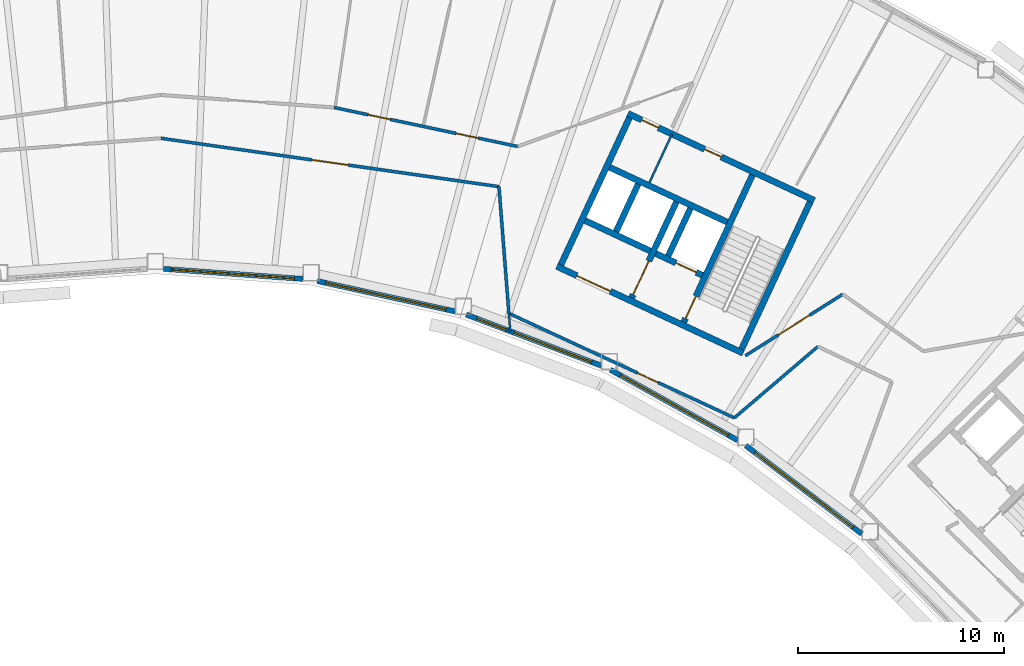
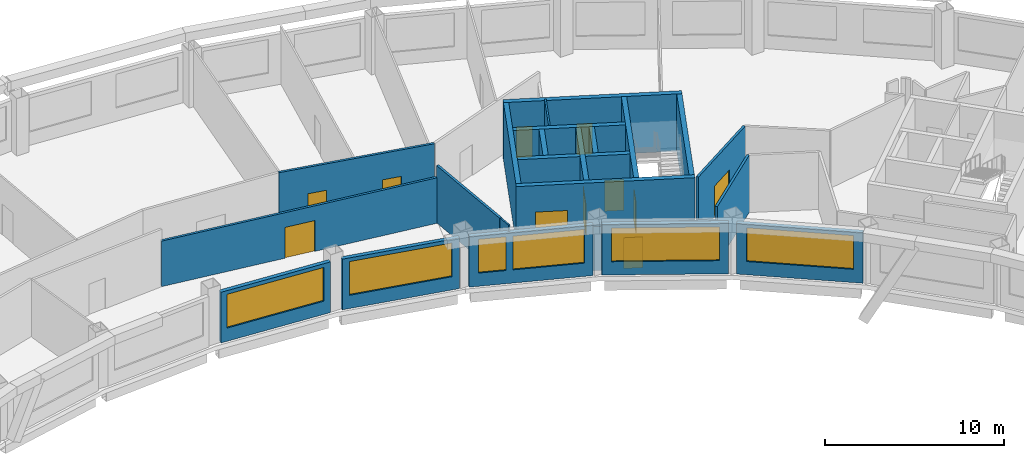
# One storey, part 8 of 13: 24 walls, 11 doors, 6 windows, 17 openings.
"""IFC4 building model written with IfcOpenShell, lengths in metres."""

from ifc_helpers import new_model, si_unit, direction, frame, frame_2d, origin, place, context, subcontext, project, spatial, rectangle, extrude, material, layer, layer_set, type_object, element, fill, save


model = new_model("IFC4")

# Units and contexts
model_context = context("Model", 3, precision=1e-05, world=origin(), true_north=direction((0.0, 1.0)))
body_context = subcontext(model_context, "Body", "Model", "MODEL_VIEW")
ifc_project = project(units=[si_unit("LENGTHUNIT", "METRE"), si_unit("AREAUNIT", "SQUARE_METRE"), si_unit("VOLUMEUNIT", "CUBIC_METRE"), si_unit("PLANEANGLEUNIT", "RADIAN"), si_unit("MASSUNIT", "GRAM", prefix="KILO")], contexts=[model_context])

# Site, building, storey
site_placement = place(None, origin())
site = spatial("IfcSite", under=ifc_project, at=site_placement, CompositionType="ELEMENT")
building_placement = place(site_placement, origin())
building = spatial("IfcBuilding", under=site, at=building_placement, Name="Tuul Gate Civic Tower", CompositionType="ELEMENT")
storey_placement = place(building_placement, frame((0.0, 0.0, 230.5)))
storey = spatial("IfcBuildingStorey", under=building, at=storey_placement, Name="Level 52", CompositionType="ELEMENT", Elevation=230.5)

# Wall, opening, door
ifc_material_1 = material(Name="Concrete C50/60", Category="concrete")
ifc_layer_1 = layer(ifc_material_1, 0.300048828125)
ifc_layer_set_1 = layer_set([ifc_layer_1], Name="Concrete C50/60")
wall_type_1 = type_object("IfcWallType", Name="Core wall C50/60", PredefinedType="SHEAR", material=ifc_layer_set_1)
wall_1_placement = place(storey_placement, frame((34.5283203125, -7.25, 0.0), z_axis=(0.0, 0.0, 1.0), x_axis=(-0.906310338845, 0.422612789327, 0.0)))
wall_1 = element("IfcWall", 1, at=wall_1_placement, inside=storey, type_object=wall_type_1, Name="Core wall", PredefinedType="SHEAR", context=body_context, shape_type="SweptSolid", body=[
    extrude(rectangle(XDim=9.999755859375, YDim=0.300048828125, at=frame_2d((5.0, 0.0))), origin(), (0.0, 0.0, 1.0), 3.89990234375),
])
opening_1_placement = place(wall_1_placement, frame((7.125, 0.0, 0.0)))
opening_1 = element("IfcOpeningElement", 2, at=opening_1_placement, cuts=wall_1, Name="Opening LB-E3-LOBBY-1", PredefinedType="OPENING", context=body_context, shape_type="SweptSolid", body=[
    extrude(rectangle(XDim=1.800048828125, YDim=2.10009765625, at=frame_2d((0.89990234375, 1.050048828125))), frame((0.0, 0.16015625, 0.0), z_axis=(0.0, -1.0, 0.0), x_axis=(1.0, 0.0, 0.0)), (0.0, 0.0, 1.0), 0.320068359375),
])
ifc_material_2 = material(Name="Steel", Category="steel")
door_type_1 = type_object("IfcDoorType", Name="Lobby door", OperationType="DOUBLE_DOOR_SINGLE_SWING", PredefinedType="DOOR", material=ifc_material_2)
door_1_placement = place(opening_1_placement, frame((1.800048828125, 0.0, 0.0), z_axis=(0.0, 0.0, 1.0), x_axis=(-1.0, 0.0, 0.0)))
door_1 = element("IfcDoor", 3, at=door_1_placement, inside=storey, type_object=door_type_1, Name="Lobby door E3-LOBBY", OperationType="DOUBLE_DOOR_SINGLE_SWING", OverallHeight=2.10009765625, OverallWidth=1.800048828125, PredefinedType="DOOR", context=body_context, shape_type="SweptSolid", body=[
    extrude(rectangle(XDim=1.800048828125, YDim=2.10009765625, at=frame_2d((0.900146484375, 1.050048828125))), frame((0.0, 0.02490234375, 0.0), z_axis=(0.0, -1.0, 0.0), x_axis=(1.0, 0.0, 0.0)), (0.0, 0.0, 1.0), 0.050048828125),
])
fill(opening_1, door_1)

wall_2_placement = place(storey_placement, frame((32.545654296875, -3.456787109375, 0.0), z_axis=(0.0, 0.0, 1.0), x_axis=(-0.906300357825, 0.42263419337, 0.0)))
wall_2 = element("IfcWall", 4, at=wall_2_placement, inside=storey, type_object=wall_type_1, Name="Core wall", PredefinedType="SHEAR", context=body_context, shape_type="SweptSolid", body=[
    extrude(rectangle(XDim=2.500244140625, YDim=0.300048828125, at=frame_2d((1.25, 0.0))), origin(), (0.0, 0.0, 1.0), 3.89990234375),
])
opening_2_placement = place(wall_2_placement, frame((0.324951171875, 0.0, 0.0)))
opening_2 = element("IfcOpeningElement", 5, at=opening_2_placement, cuts=wall_2, Name="Opening LD-FF-2", PredefinedType="OPENING", context=body_context, shape_type="SweptSolid", body=[
    extrude(rectangle(XDim=1.10009765625, YDim=2.10009765625, at=frame_2d((0.550048828125, 1.050048828125))), frame((0.0, 0.16015625, 0.0), z_axis=(0.0, -1.0, 0.0), x_axis=(1.0, 0.0, 0.0)), (0.0, 0.0, 1.0), 0.320068359375),
])
ifc_material_3 = material(Name="Stainless steel", Category="steel")
door_type_2 = type_object("IfcDoorType", Name="Landing door", OperationType="DOUBLE_DOOR_SLIDING", PredefinedType="DOOR", material=ifc_material_3)
door_2_placement = place(opening_2_placement, origin())
door_2 = element("IfcDoor", 6, at=door_2_placement, inside=storey, type_object=door_type_2, Name="Fire-fighting lift FF-2 landing door", OperationType="DOUBLE_DOOR_SLIDING", OverallHeight=2.10009765625, OverallWidth=1.10009765625, PredefinedType="DOOR", context=body_context, shape_type="SweptSolid", body=[
    extrude(rectangle(XDim=1.10009765625, YDim=2.10009765625, at=frame_2d((0.550048828125, 1.050048828125))), frame((0.0, 0.02490234375, 0.0), z_axis=(0.0, -1.0, 0.0), x_axis=(1.0, 0.0, 0.0)), (0.0, 0.0, 1.0), 0.050048828125),
])
fill(opening_2, door_2)

# Walls
wall_3_placement = place(storey_placement, frame((30.0078125, -2.2734375, 0.0), z_axis=(0.0, 0.0, 1.0), x_axis=(-0.90630071767, 0.422633421716, 0.0)))
element("IfcWall", 7, at=wall_3_placement, inside=storey, type_object=wall_type_1, Name="Core wall", PredefinedType="SHEAR", context=body_context, shape_type="SweptSolid", body=[
    extrude(rectangle(XDim=3.5, YDim=0.300048828125, at=frame_2d((1.75, 0.0))), origin(), (0.0, 0.0, 1.0), 3.89990234375),
])
wall_4_placement = place(storey_placement, frame((33.75, -0.873779296875, 0.0), z_axis=(0.0, 0.0, 1.0), x_axis=(-0.906300917592, 0.422632992999, 0.0)))
element("IfcWall", 8, at=wall_4_placement, inside=storey, type_object=wall_type_1, Name="Core wall", PredefinedType="SHEAR", context=body_context, shape_type="SweptSolid", body=[
    extrude(rectangle(XDim=6.300048828125, YDim=0.300048828125, at=frame_2d((3.14990234375, 0.0))), origin(), (0.0, 0.0, 1.0), 3.89990234375),
])

# Wall, openings, doors
wall_5_placement = place(storey_placement, frame((37.993408203125, 0.181884765625, 0.0), z_axis=(0.0, 0.0, 1.0), x_axis=(-0.906310338845, 0.422612789327, 0.0)))
wall_5 = element("IfcWall", 9, at=wall_5_placement, inside=storey, type_object=wall_type_1, Name="Core wall", PredefinedType="SHEAR", context=body_context, shape_type="SweptSolid", body=[
    extrude(rectangle(XDim=9.999755859375, YDim=0.300048828125, at=frame_2d((5.0, 0.0))), origin(), (0.0, 0.0, 1.0), 3.89990234375),
])
opening_3_placement = place(wall_5_placement, frame((4.99365234375, 0.0, 0.0)))
opening_3 = element("IfcOpeningElement", 10, at=opening_3_placement, cuts=wall_5, Name="Opening S-D36", PredefinedType="OPENING", context=body_context, shape_type="SweptSolid", body=[
    extrude(rectangle(XDim=0.89990234375, YDim=2.10009765625, at=frame_2d((0.449951171875, 1.050048828125))), frame((0.0, 0.16015625, 0.0), z_axis=(0.0, -1.0, 0.0), x_axis=(1.0, 0.0, 0.0)), (0.0, 0.0, 1.0), 0.320068359375),
])
opening_4_placement = place(wall_5_placement, frame((8.368896484375, 0.0, 0.0)))
opening_4 = element("IfcOpeningElement", 11, at=opening_4_placement, cuts=wall_5, Name="Opening S-D37", PredefinedType="OPENING", context=body_context, shape_type="SweptSolid", body=[
    extrude(rectangle(XDim=0.89990234375, YDim=2.10009765625, at=frame_2d((0.449951171875, 1.050048828125))), frame((0.0, 0.16015625, 0.0), z_axis=(0.0, -1.0, 0.0), x_axis=(1.0, 0.0, 0.0)), (0.0, 0.0, 1.0), 0.320068359375),
])
ifc_material_4 = material(Name="Timber door leaf", Category="wood")
door_type_3 = type_object("IfcDoorType", Name="Door D09", OperationType="NOTDEFINED", PredefinedType="DOOR", material=ifc_material_4)
door_3_placement = place(opening_3_placement, origin())
door_3 = element("IfcDoor", 12, at=door_3_placement, inside=storey, type_object=door_type_3, Name="Door S-D36", OperationType="SINGLE_SWING_LEFT", OverallHeight=2.10009765625, OverallWidth=0.89990234375, PredefinedType="DOOR", context=body_context, shape_type="SweptSolid", body=[
    extrude(rectangle(XDim=0.89990234375, YDim=2.10009765625, at=frame_2d((0.449951171875, 1.050048828125))), frame((0.0, 0.02490234375, 0.0), z_axis=(0.0, -1.0, 0.0), x_axis=(1.0, 0.0, 0.0)), (0.0, 0.0, 1.0), 0.050048828125),
])
fill(opening_3, door_3)
door_4_placement = place(opening_4_placement, origin())
door_4 = element("IfcDoor", 13, at=door_4_placement, inside=storey, type_object=door_type_3, Name="Door S-D37", OperationType="SINGLE_SWING_RIGHT", OverallHeight=2.10009765625, OverallWidth=0.89990234375, PredefinedType="DOOR", context=body_context, shape_type="SweptSolid", body=[
    extrude(rectangle(XDim=0.89990234375, YDim=2.10009765625, at=frame_2d((0.449951171875, 1.050048828125))), frame((0.0, 0.02490234375, 0.0), z_axis=(0.0, -1.0, 0.0), x_axis=(1.0, 0.0, 0.0)), (0.0, 0.0, 1.0), 0.050048828125),
])
fill(opening_4, door_4)

# Wall
wall_6_placement = place(storey_placement, frame((34.455810546875, -7.05078125, 0.0), z_axis=(0.0, 0.0, 1.0), x_axis=(0.422570768258, 0.906329932096, 0.0)))
element("IfcWall", 14, at=wall_6_placement, inside=storey, type_object=wall_type_1, Name="Core wall", PredefinedType="SHEAR", context=body_context, shape_type="SweptSolid", body=[
    extrude(rectangle(XDim=7.900146484375, YDim=0.300048828125, at=frame_2d((3.9501953125, 0.0))), origin(), (0.0, 0.0, 1.0), 3.89990234375),
])

# Wall, opening, door
wall_7_placement = place(storey_placement, frame((31.646240234375, -5.740478515625, 0.0), z_axis=(0.0, 0.0, 1.0), x_axis=(0.422582604137, 0.906324413596, 0.0)))
wall_7 = element("IfcWall", 15, at=wall_7_placement, inside=storey, type_object=wall_type_1, Name="Core wall", PredefinedType="SHEAR", context=body_context, shape_type="SweptSolid", body=[
    extrude(rectangle(XDim=7.89990234375, YDim=0.300048828125, at=frame_2d((3.949951171875, 0.0))), origin(), (0.0, 0.0, 1.0), 3.89990234375),
])
opening_5_placement = place(wall_7_placement, frame((0.199951171875, 0.0, 0.0)))
opening_5 = element("IfcOpeningElement", 16, at=opening_5_placement, cuts=wall_7, Name="Opening SD-ST-4", PredefinedType="OPENING", context=body_context, shape_type="SweptSolid", body=[
    extrude(rectangle(XDim=1.199951171875, YDim=2.10009765625, at=frame_2d((0.60009765625, 1.050048828125))), frame((0.0, 0.16015625, 0.0), z_axis=(0.0, -1.0, 0.0), x_axis=(1.0, 0.0, 0.0)), (0.0, 0.0, 1.0), 0.320068359375),
])
ifc_material_5 = material(Name="Steel", Category="steel")
door_type_4 = type_object("IfcDoorType", Name="Stair door", OperationType="NOTDEFINED", PredefinedType="DOOR", material=ifc_material_5)
door_5_placement = place(opening_5_placement, origin())
door_5 = element("IfcDoor", 17, at=door_5_placement, inside=storey, type_object=door_type_4, Name="Stair door ST-4", OperationType="SINGLE_SWING_LEFT", OverallHeight=2.10009765625, OverallWidth=1.199951171875, PredefinedType="DOOR", context=body_context, shape_type="SweptSolid", body=[
    extrude(rectangle(XDim=1.199951171875, YDim=2.10009765625, at=frame_2d((0.60009765625, 1.050048828125))), frame((0.0, 0.02490234375, 0.0), z_axis=(0.0, -1.0, 0.0), x_axis=(1.0, 0.0, 0.0)), (0.0, 0.0, 1.0), 0.050048828125),
])
fill(opening_5, door_5)

# Wall
wall_8_placement = place(storey_placement, frame((30.886962890625, -2.517822265625, 0.0), z_axis=(0.0, 0.0, 1.0), x_axis=(0.422612891016, 0.906310291427, 0.0)))
element("IfcWall", 18, at=wall_8_placement, inside=storey, type_object=wall_type_1, Name="Core wall", PredefinedType="SHEAR", context=body_context, shape_type="SweptSolid", body=[
    extrude(rectangle(XDim=2.550048828125, YDim=0.300048828125, at=frame_2d((1.27490234375, 0.0))), origin(), (0.0, 0.0, 1.0), 3.89990234375),
])

# Wall, opening, door
wall_9_placement = place(storey_placement, frame((29.108642578125, -4.557373046875, 0.0), z_axis=(0.0, 0.0, 1.0), x_axis=(0.422566235356, 0.90633204552, 0.0)))
wall_9 = element("IfcWall", 19, at=wall_9_placement, inside=storey, type_object=wall_type_1, Name="Core wall", PredefinedType="SHEAR", context=body_context, shape_type="SweptSolid", body=[
    extrude(rectangle(XDim=5.150146484375, YDim=0.300048828125, at=frame_2d((2.5751953125, 0.0))), origin(), (0.0, 0.0, 1.0), 3.89990234375),
])
opening_6_placement = place(wall_9_placement, frame((0.175048828125, 0.0, 0.0)))
opening_6 = element("IfcOpeningElement", 20, at=opening_6_placement, cuts=wall_9, Name="Opening LB-E3-FLOBBY-1", PredefinedType="OPENING", context=body_context, shape_type="SweptSolid", body=[
    extrude(rectangle(XDim=1.800048828125, YDim=2.10009765625, at=frame_2d((0.89990234375, 1.050048828125))), frame((0.0, 0.16015625, 0.0), z_axis=(0.0, -1.0, 0.0), x_axis=(1.0, 0.0, 0.0)), (0.0, 0.0, 1.0), 0.320068359375),
])
door_6_placement = place(opening_6_placement, frame((1.800048828125, 0.0, 0.0), z_axis=(0.0, 0.0, 1.0), x_axis=(-1.0, 0.0, 0.0)))
door_6 = element("IfcDoor", 21, at=door_6_placement, inside=storey, type_object=door_type_1, Name="Lobby door E3-FLOBBY", OperationType="DOUBLE_DOOR_SINGLE_SWING", OverallHeight=2.10009765625, OverallWidth=1.800048828125, PredefinedType="DOOR", context=body_context, shape_type="SweptSolid", body=[
    extrude(rectangle(XDim=1.800048828125, YDim=2.10009765625, at=frame_2d((0.900146484375, 1.050048828125))), frame((0.0, 0.02490234375, 0.0), z_axis=(0.0, -1.0, 0.0), x_axis=(1.0, 0.0, 0.0)), (0.0, 0.0, 1.0), 0.050048828125),
])
fill(opening_6, door_6)

# Walls
wall_10_placement = place(storey_placement, frame((28.349365234375, -1.33447265625, 0.0), z_axis=(0.0, 0.0, 1.0), x_axis=(0.422612891016, 0.906310291427, 0.0)))
element("IfcWall", 22, at=wall_10_placement, inside=storey, type_object=wall_type_1, Name="Core wall", PredefinedType="SHEAR", context=body_context, shape_type="SweptSolid", body=[
    extrude(rectangle(XDim=2.550048828125, YDim=0.300048828125, at=frame_2d((1.27490234375, 0.0))), origin(), (0.0, 0.0, 1.0), 3.89990234375),
])
wall_11_placement = place(storey_placement, frame((25.66455078125, -2.951416015625, 0.0), z_axis=(0.0, 0.0, 1.0), x_axis=(0.422582604137, 0.906324413596, 0.0)))
element("IfcWall", 23, at=wall_11_placement, inside=storey, type_object=wall_type_1, Name="Core wall", PredefinedType="SHEAR", context=body_context, shape_type="SweptSolid", body=[
    extrude(rectangle(XDim=7.89990234375, YDim=0.300048828125, at=frame_2d((3.949951171875, 0.0))), origin(), (0.0, 0.0, 1.0), 3.89990234375),
])

# Wall, opening, door
ifc_material_6 = material(Name="Gypsum board partition")
ifc_layer_2 = layer(ifc_material_6, 0.14990234375)
ifc_layer_set_2 = layer_set([ifc_layer_2], Name="Gypsum board partition")
wall_type_2 = type_object("IfcWallType", Name="Corridor wall P150", PredefinedType="PARTITIONING", material=ifc_layer_set_2)
wall_12_placement = place(storey_placement, frame((34.635986328125, -7.37451171875, 0.0), z_axis=(0.0, 0.0, 1.0), x_axis=(0.845675167899, 0.533697958025, 0.0)))
wall_12 = element("IfcWall", 24, at=wall_12_placement, inside=storey, type_object=wall_type_2, Name="p019", PredefinedType="PARTITIONING", context=body_context, shape_type="SweptSolid", body=[
    extrude(rectangle(XDim=5.604736328125, YDim=0.14990234375, at=frame_2d((2.80224609375, 0.0))), origin(), (0.0, 0.0, 1.0), 3.89990234375),
])
opening_7_placement = place(wall_12_placement, frame((1.90234375, 0.0, 0.0)))
opening_7 = element("IfcOpeningElement", 25, at=opening_7_placement, cuts=wall_12, Name="Opening S-D02", PredefinedType="OPENING", context=body_context, shape_type="SweptSolid", body=[
    extrude(rectangle(XDim=1.800048828125, YDim=2.10009765625, at=frame_2d((0.89990234375, 1.050048828125))), frame((0.0, 0.0849609375, 0.0), z_axis=(0.0, -1.0, 0.0), x_axis=(1.0, 0.0, 0.0)), (0.0, 0.0, 1.0), 0.169921875),
])
ifc_material_7 = material(Name="Timber door leaf, double", Category="wood")
door_type_5 = type_object("IfcDoorType", Name="Door D18", OperationType="DOUBLE_DOOR_SINGLE_SWING", PredefinedType="DOOR", material=ifc_material_7)
door_7_placement = place(opening_7_placement, origin())
door_7 = element("IfcDoor", 26, at=door_7_placement, inside=storey, type_object=door_type_5, Name="Door S-D02", OperationType="DOUBLE_DOOR_SINGLE_SWING", OverallHeight=2.10009765625, OverallWidth=1.800048828125, PredefinedType="DOOR", context=body_context, shape_type="SweptSolid", body=[
    extrude(rectangle(XDim=1.800048828125, YDim=2.10009765625, at=frame_2d((0.89990234375, 1.050048828125))), frame((0.0, 0.02490234375, 0.0), z_axis=(0.0, -1.0, 0.0), x_axis=(1.0, 0.0, 0.0)), (0.0, 0.0, 1.0), 0.050048828125),
])
fill(opening_7, door_7)

# Wall, openings, doors
wall_13_placement = place(storey_placement, frame((14.634521484375, 4.700927734375, 0.0), z_axis=(0.0, 0.0, 1.0), x_axis=(0.978205143775, -0.207640787639, 0.0)))
wall_13 = element("IfcWall", 27, at=wall_13_placement, inside=storey, type_object=wall_type_2, Name="p024", PredefinedType="PARTITIONING", context=body_context, shape_type="SweptSolid", body=[
    extrude(rectangle(XDim=9.122802734375, YDim=0.14990234375, at=frame_2d((4.5615234375, 0.0))), origin(), (0.0, 0.0, 1.0), 3.89990234375),
])
opening_8_placement = place(wall_13_placement, frame((6.0732421875, 0.0, 0.0)))
opening_8 = element("IfcOpeningElement", 28, at=opening_8_placement, cuts=wall_13, Name="Opening S-D05", PredefinedType="OPENING", context=body_context, shape_type="SweptSolid", body=[
    extrude(rectangle(XDim=1.10009765625, YDim=2.10009765625, at=frame_2d((0.550048828125, 1.050048828125))), frame((0.0, 0.0849609375, 0.0), z_axis=(0.0, -1.0, 0.0), x_axis=(1.0, 0.0, 0.0)), (0.0, 0.0, 1.0), 0.169921875),
])
opening_9_placement = place(wall_13_placement, frame((1.688720703125, 0.0, 0.0)))
opening_9 = element("IfcOpeningElement", 29, at=opening_9_placement, cuts=wall_13, Name="Opening S-D06", PredefinedType="OPENING", context=body_context, shape_type="SweptSolid", body=[
    extrude(rectangle(XDim=1.10009765625, YDim=2.10009765625, at=frame_2d((0.550048828125, 1.050048828125))), frame((0.0, 0.0849609375, 0.0), z_axis=(0.0, -1.0, 0.0), x_axis=(1.0, 0.0, 0.0)), (0.0, 0.0, 1.0), 0.169921875),
])
ifc_material_8 = material(Name="Timber door leaf", Category="wood")
door_type_6 = type_object("IfcDoorType", Name="Door D11", OperationType="NOTDEFINED", PredefinedType="DOOR", material=ifc_material_8)
door_8_placement = place(opening_8_placement, origin())
door_8 = element("IfcDoor", 30, at=door_8_placement, inside=storey, type_object=door_type_6, Name="Door S-D05", OperationType="SINGLE_SWING_RIGHT", OverallHeight=2.10009765625, OverallWidth=1.10009765625, PredefinedType="DOOR", context=body_context, shape_type="SweptSolid", body=[
    extrude(rectangle(XDim=1.10009765625, YDim=2.10009765625, at=frame_2d((0.550048828125, 1.050048828125))), frame((0.0, 0.02490234375, 0.0), z_axis=(0.0, -1.0, 0.0), x_axis=(1.0, 0.0, 0.0)), (0.0, 0.0, 1.0), 0.050048828125),
])
fill(opening_8, door_8)
door_9_placement = place(opening_9_placement, origin())
door_9 = element("IfcDoor", 31, at=door_9_placement, inside=storey, type_object=door_type_6, Name="Door S-D06", OperationType="SINGLE_SWING_RIGHT", OverallHeight=2.10009765625, OverallWidth=1.10009765625, PredefinedType="DOOR", context=body_context, shape_type="SweptSolid", body=[
    extrude(rectangle(XDim=1.10009765625, YDim=2.10009765625, at=frame_2d((0.550048828125, 1.050048828125))), frame((0.0, 0.02490234375, 0.0), z_axis=(0.0, -1.0, 0.0), x_axis=(1.0, 0.0, 0.0)), (0.0, 0.0, 1.0), 0.050048828125),
])
fill(opening_9, door_9)

# Walls
wall_14_placement = place(storey_placement, frame((22.654052734375, 0.851806640625, 0.0), z_axis=(0.0, 0.0, 1.0), x_axis=(0.077789483158, -0.996969807121, 0.0)))
element("IfcWall", 32, at=wall_14_placement, inside=storey, type_object=wall_type_2, Name="p054", PredefinedType="PARTITIONING", context=body_context, shape_type="SweptSolid", body=[
    extrude(rectangle(XDim=6.21728515625, YDim=0.14990234375, at=frame_2d((3.108642578125, 0.0))), origin(), (0.0, 0.0, 1.0), 3.89990234375),
])
wall_15_placement = place(storey_placement, frame((34.10302734375, -10.39599609375, 0.0), z_axis=(0.0, 0.0, 1.0), x_axis=(0.760448903295, 0.649397771383, 0.0)))
element("IfcWall", 33, at=wall_15_placement, inside=storey, type_object=wall_type_2, Name="p071", PredefinedType="PARTITIONING", context=body_context, shape_type="SweptSolid", body=[
    extrude(rectangle(XDim=5.34228515625, YDim=0.14990234375, at=frame_2d((2.671142578125, 0.0))), origin(), (0.0, 0.0, 1.0), 3.89990234375),
])

# Wall, opening, door
ifc_material_9 = material(Name="Gypsum board partition")
ifc_layer_3 = layer(ifc_material_9, 0.14990234375)
ifc_layer_set_3 = layer_set([ifc_layer_3], Name="Gypsum board partition")
wall_type_3 = type_object("IfcWallType", Name="Corridor wall P150 3000 HIGH", PredefinedType="PARTITIONING", material=ifc_layer_set_3)
wall_16_placement = place(storey_placement, frame((23.135498046875, -5.3125, 0.0), z_axis=(0.0, 0.0, 1.0), x_axis=(0.907279597463, -0.420527920628, 0.0)))
wall_16 = element("IfcWall", 34, at=wall_16_placement, inside=storey, type_object=wall_type_3, Name="p072", PredefinedType="PARTITIONING", context=body_context, shape_type="SweptSolid", body=[
    extrude(rectangle(XDim=12.08837890625, YDim=0.14990234375, at=frame_2d((6.044189453125, 0.0))), origin(), (0.0, 0.0, 1.0), 3.0),
])
opening_10_placement = place(wall_16_placement, frame((6.89404296875, 0.0, 0.0)))
opening_10 = element("IfcOpeningElement", 35, at=opening_10_placement, cuts=wall_16, Name="Opening S-D171", PredefinedType="OPENING", context=body_context, shape_type="SweptSolid", body=[
    extrude(rectangle(XDim=1.10009765625, YDim=2.10009765625, at=frame_2d((0.550048828125, 1.050048828125))), frame((0.0, 0.0849609375, 0.0), z_axis=(0.0, -1.0, 0.0), x_axis=(1.0, 0.0, 0.0)), (0.0, 0.0, 1.0), 0.169921875),
])
door_10_placement = place(opening_10_placement, origin())
door_10 = element("IfcDoor", 36, at=door_10_placement, inside=storey, type_object=door_type_6, Name="Door S-D17", OperationType="SINGLE_SWING_LEFT", OverallHeight=2.10009765625, OverallWidth=1.10009765625, PredefinedType="DOOR", context=body_context, shape_type="SweptSolid", body=[
    extrude(rectangle(XDim=1.10009765625, YDim=2.10009765625, at=frame_2d((0.550048828125, 1.050048828125))), frame((0.0, 0.02490234375, 0.0), z_axis=(0.0, -1.0, 0.0), x_axis=(1.0, 0.0, 0.0)), (0.0, 0.0, 1.0), 0.050048828125),
])
fill(opening_10, door_10)

ifc_material_10 = material(Name="Gypsum board partition")
ifc_layer_4 = layer(ifc_material_10, 0.14990234375)
ifc_layer_set_4 = layer_set([ifc_layer_4], Name="Gypsum board partition")
wall_type_4 = type_object("IfcWallType", Name="Corridor wall P150 3100 HIGH", PredefinedType="PARTITIONING", material=ifc_layer_set_4)
wall_17_placement = place(storey_placement, frame((6.2041015625, 3.205810546875, 0.0), z_axis=(0.0, 0.0, 1.0), x_axis=(0.989915674369, -0.141657889435, 0.0)))
wall_17 = element("IfcWall", 37, at=wall_17_placement, inside=storey, type_object=wall_type_4, Name="p053", PredefinedType="PARTITIONING", context=body_context, shape_type="SweptSolid", body=[
    extrude(rectangle(XDim=16.617431640625, YDim=0.14990234375, at=frame_2d((8.30859375, 0.0))), origin(), (0.0, 0.0, 1.0), 3.10009765625),
])
opening_11_placement = place(wall_17_placement, frame((7.40869140625, 0.0, 0.0)))
opening_11 = element("IfcOpeningElement", 38, at=opening_11_placement, cuts=wall_17, Name="Opening S-D141", PredefinedType="OPENING", context=body_context, shape_type="SweptSolid", body=[
    extrude(rectangle(XDim=1.800048828125, YDim=2.10009765625, at=frame_2d((0.89990234375, 1.050048828125))), frame((0.0, 0.0849609375, 0.0), z_axis=(0.0, -1.0, 0.0), x_axis=(1.0, 0.0, 0.0)), (0.0, 0.0, 1.0), 0.169921875),
])
door_11_placement = place(opening_11_placement, frame((1.800048828125, 0.0, 0.0), z_axis=(0.0, 0.0, 1.0), x_axis=(-1.0, 0.0, 0.0)))
door_11 = element("IfcDoor", 39, at=door_11_placement, inside=storey, type_object=door_type_5, Name="Door S-D14", OperationType="DOUBLE_DOOR_SINGLE_SWING", OverallHeight=2.10009765625, OverallWidth=1.800048828125, PredefinedType="DOOR", context=body_context, shape_type="SweptSolid", body=[
    extrude(rectangle(XDim=1.800048828125, YDim=2.10009765625, at=frame_2d((0.900146484375, 1.050048828125))), frame((0.0, 0.02490234375, 0.0), z_axis=(0.0, -1.0, 0.0), x_axis=(1.0, 0.0, 0.0)), (0.0, 0.0, 1.0), 0.050048828125),
])
fill(opening_11, door_11)

# Wall, opening, window
ifc_material_11 = material(Name="Precast concrete C40/50", Category="concrete")
ifc_layer_5 = layer(ifc_material_11, 0.25)
ifc_layer_set_5 = layer_set([ifc_layer_5], Name="Precast concrete C40/50")
wall_type_5 = type_object("IfcWallType", Name="External wall", PredefinedType="STANDARD", material=ifc_layer_set_5)
wall_18_placement = place(storey_placement, frame((6.340087890625, -3.1455078125, 0.0), z_axis=(0.0, 0.0, 1.0), x_axis=(0.997392566253, -0.07216695077, 0.0)))
wall_18 = element("IfcWall", 40, at=wall_18_placement, inside=storey, type_object=wall_type_5, Name="External wall", PredefinedType="STANDARD", context=body_context, shape_type="SweptSolid", body=[
    extrude(rectangle(XDim=6.789794921875, YDim=0.25, at=frame_2d((3.39501953125, 0.0))), origin(), (0.0, 0.0, 1.0), 3.449951171875),
])
opening_12_placement = place(wall_18_placement, frame((0.371337890625, 0.0, 0.89990234375)))
opening_12 = element("IfcOpeningElement", 41, at=opening_12_placement, cuts=wall_18, Name="Opening W26", PredefinedType="OPENING", context=body_context, shape_type="SweptSolid", body=[
    extrude(rectangle(XDim=6.0, YDim=2.300048828125, at=frame_2d((3.0, 1.14990234375))), frame((0.0, 0.135009765625, 0.0), z_axis=(0.0, -1.0, 0.0), x_axis=(1.0, 0.0, 0.0)), (0.0, 0.0, 1.0), 0.27001953125),
])
ifc_material_12 = material(Name="Glass", Category="glass")
window_type_1 = type_object("IfcWindowType", Name="Window W26 6000 x 2300", PartitioningType="SINGLE_PANEL", PredefinedType="WINDOW", material=ifc_material_12)
window_1_placement = place(opening_12_placement, origin())
window_1 = element("IfcWindow", 42, at=window_1_placement, inside=storey, type_object=window_type_1, Name="Window", OverallHeight=2.300048828125, OverallWidth=6.0, PartitioningType="SINGLE_PANEL", PredefinedType="WINDOW", context=body_context, shape_type="SweptSolid", body=[
    extrude(rectangle(XDim=6.0, YDim=2.300048828125, at=frame_2d((3.0, 1.14990234375))), frame((0.0, 0.030029296875, 0.0), z_axis=(0.0, -1.0, 0.0), x_axis=(1.0, 0.0, 0.0)), (0.0, 0.0, 1.0), 0.06005859375),
])
fill(opening_12, window_1)

wall_19_placement = place(storey_placement, frame((13.819091796875, -3.739013671875, 0.0), z_axis=(0.0, 0.0, 1.0), x_axis=(0.976560383805, -0.21524362193, 0.0)))
wall_19 = element("IfcWall", 43, at=wall_19_placement, inside=storey, type_object=wall_type_5, Name="External wall", PredefinedType="STANDARD", context=body_context, shape_type="SweptSolid", body=[
    extrude(rectangle(XDim=6.86669921875, YDim=0.25, at=frame_2d((3.433349609375, 0.0))), origin(), (0.0, 0.0, 1.0), 3.449951171875),
])
opening_13_placement = place(wall_19_placement, frame((0.409912109375, 0.0, 0.89990234375)))
opening_13 = element("IfcOpeningElement", 44, at=opening_13_placement, cuts=wall_19, Name="Opening W26", PredefinedType="OPENING", context=body_context, shape_type="SweptSolid", body=[
    extrude(rectangle(XDim=6.0, YDim=2.300048828125, at=frame_2d((3.0, 1.14990234375))), frame((0.0, 0.135009765625, 0.0), z_axis=(0.0, -1.0, 0.0), x_axis=(1.0, 0.0, 0.0)), (0.0, 0.0, 1.0), 0.27001953125),
])
window_2_placement = place(opening_13_placement, origin())
window_2 = element("IfcWindow", 45, at=window_2_placement, inside=storey, type_object=window_type_1, Name="Window", OverallHeight=2.300048828125, OverallWidth=6.0, PartitioningType="SINGLE_PANEL", PredefinedType="WINDOW", context=body_context, shape_type="SweptSolid", body=[
    extrude(rectangle(XDim=6.0, YDim=2.300048828125, at=frame_2d((3.0, 1.14990234375))), frame((0.0, 0.030029296875, 0.0), z_axis=(0.0, -1.0, 0.0), x_axis=(1.0, 0.0, 0.0)), (0.0, 0.0, 1.0), 0.06005859375),
])
fill(opening_13, window_2)

# Wall, openings, windows
wall_20_placement = place(storey_placement, frame((21.065673828125, -5.373046875, 0.0), z_axis=(0.0, 0.0, 1.0), x_axis=(0.935371552972, -0.353666591426, 0.0)))
wall_20 = element("IfcWall", 46, at=wall_20_placement, inside=storey, type_object=wall_type_5, Name="External wall", PredefinedType="STANDARD", context=body_context, shape_type="SweptSolid", body=[
    extrude(rectangle(XDim=7.013671875, YDim=0.25, at=frame_2d((3.5068359375, 0.0))), origin(), (0.0, 0.0, 1.0), 3.449951171875),
])
opening_14_placement = place(wall_20_placement, frame((0.54248046875, 0.0, 0.89990234375)))
opening_14 = element("IfcOpeningElement", 47, at=opening_14_placement, cuts=wall_20, Name="Opening W60", PredefinedType="OPENING", context=body_context, shape_type="SweptSolid", body=[
    extrude(rectangle(XDim=1.550048828125, YDim=2.300048828125, at=frame_2d((0.77490234375, 1.14990234375))), frame((0.0, 0.135009765625, 0.0), z_axis=(0.0, -1.0, 0.0), x_axis=(1.0, 0.0, 0.0)), (0.0, 0.0, 1.0), 0.27001953125),
])
opening_15_placement = place(wall_20_placement, frame((2.467529296875, 0.0, 0.89990234375)))
opening_15 = element("IfcOpeningElement", 48, at=opening_15_placement, cuts=wall_20, Name="Opening W62", PredefinedType="OPENING", context=body_context, shape_type="SweptSolid", body=[
    extrude(rectangle(XDim=4.050048828125, YDim=2.300048828125, at=frame_2d((2.02490234375, 1.14990234375))), frame((0.0, 0.135009765625, 0.0), z_axis=(0.0, -1.0, 0.0), x_axis=(1.0, 0.0, 0.0)), (0.0, 0.0, 1.0), 0.27001953125),
])
ifc_material_13 = material(Name="Glass", Category="glass")
window_type_2 = type_object("IfcWindowType", Name="Window 1550 x 2300", PartitioningType="SINGLE_PANEL", PredefinedType="WINDOW", material=ifc_material_13)
window_3_placement = place(opening_14_placement, origin())
window_3 = element("IfcWindow", 49, at=window_3_placement, inside=storey, type_object=window_type_2, Name="Window", OverallHeight=2.300048828125, OverallWidth=1.550048828125, PartitioningType="SINGLE_PANEL", PredefinedType="WINDOW", context=body_context, shape_type="SweptSolid", body=[
    extrude(rectangle(XDim=1.550048828125, YDim=2.300048828125, at=frame_2d((0.77490234375, 1.14990234375))), frame((0.0, 0.030029296875, 0.0), z_axis=(0.0, -1.0, 0.0), x_axis=(1.0, 0.0, 0.0)), (0.0, 0.0, 1.0), 0.06005859375),
])
fill(opening_14, window_3)
ifc_material_14 = material(Name="Glass", Category="glass")
window_type_3 = type_object("IfcWindowType", Name="Window 4050 x 2300", PartitioningType="SINGLE_PANEL", PredefinedType="WINDOW", material=ifc_material_14)
window_4_placement = place(opening_15_placement, origin())
window_4 = element("IfcWindow", 50, at=window_4_placement, inside=storey, type_object=window_type_3, Name="Window", OverallHeight=2.300048828125, OverallWidth=4.050048828125, PartitioningType="SINGLE_PANEL", PredefinedType="WINDOW", context=body_context, shape_type="SweptSolid", body=[
    extrude(rectangle(XDim=4.050048828125, YDim=2.300048828125, at=frame_2d((2.02490234375, 1.14990234375))), frame((0.0, 0.030029296875, 0.0), z_axis=(0.0, -1.0, 0.0), x_axis=(1.0, 0.0, 0.0)), (0.0, 0.0, 1.0), 0.06005859375),
])
fill(opening_15, window_4)

# Wall, opening, window
wall_21_placement = place(storey_placement, frame((28.07861328125, -8.05810546875, 0.0), z_axis=(0.0, 0.0, 1.0), x_axis=(0.874625686175, -0.484798833625, 0.0)))
wall_21 = element("IfcWall", 51, at=wall_21_placement, inside=storey, type_object=wall_type_5, Name="External wall", PredefinedType="STANDARD", context=body_context, shape_type="SweptSolid", body=[
    extrude(rectangle(XDim=7.074462890625, YDim=0.25, at=frame_2d((3.537109375, 0.0))), origin(), (0.0, 0.0, 1.0), 3.449951171875),
])
opening_16_placement = place(wall_21_placement, frame((0.556396484375, 0.0, 0.89990234375)))
opening_16 = element("IfcOpeningElement", 52, at=opening_16_placement, cuts=wall_21, Name="Opening W26", PredefinedType="OPENING", context=body_context, shape_type="SweptSolid", body=[
    extrude(rectangle(XDim=6.0, YDim=2.300048828125, at=frame_2d((3.0, 1.14990234375))), frame((0.0, 0.135009765625, 0.0), z_axis=(0.0, -1.0, 0.0), x_axis=(1.0, 0.0, 0.0)), (0.0, 0.0, 1.0), 0.27001953125),
])
window_5_placement = place(opening_16_placement, origin())
window_5 = element("IfcWindow", 53, at=window_5_placement, inside=storey, type_object=window_type_1, Name="Window", OverallHeight=2.300048828125, OverallWidth=6.0, PartitioningType="SINGLE_PANEL", PredefinedType="WINDOW", context=body_context, shape_type="SweptSolid", body=[
    extrude(rectangle(XDim=6.0, YDim=2.300048828125, at=frame_2d((3.0, 1.14990234375))), frame((0.0, 0.030029296875, 0.0), z_axis=(0.0, -1.0, 0.0), x_axis=(1.0, 0.0, 0.0)), (0.0, 0.0, 1.0), 0.06005859375),
])
fill(opening_16, window_5)

wall_22_placement = place(storey_placement, frame((34.656494140625, -11.739013671875, 0.0), z_axis=(0.0, 0.0, 1.0), x_axis=(0.795572181555, -0.605858815184, 0.0)))
wall_22 = element("IfcWall", 54, at=wall_22_placement, inside=storey, type_object=wall_type_5, Name="External wall", PredefinedType="STANDARD", context=body_context, shape_type="SweptSolid", body=[
    extrude(rectangle(XDim=7.10107421875, YDim=0.25, at=frame_2d((3.550537109375, 0.0))), origin(), (0.0, 0.0, 1.0), 3.449951171875),
])
opening_17_placement = place(wall_22_placement, frame((0.561279296875, 0.0, 0.89990234375)))
opening_17 = element("IfcOpeningElement", 55, at=opening_17_placement, cuts=wall_22, Name="Opening W26", PredefinedType="OPENING", context=body_context, shape_type="SweptSolid", body=[
    extrude(rectangle(XDim=6.0, YDim=2.300048828125, at=frame_2d((3.0, 1.14990234375))), frame((0.0, 0.135009765625, 0.0), z_axis=(0.0, -1.0, 0.0), x_axis=(1.0, 0.0, 0.0)), (0.0, 0.0, 1.0), 0.27001953125),
])
window_6_placement = place(opening_17_placement, origin())
window_6 = element("IfcWindow", 56, at=window_6_placement, inside=storey, type_object=window_type_1, Name="Window", OverallHeight=2.300048828125, OverallWidth=6.0, PartitioningType="SINGLE_PANEL", PredefinedType="WINDOW", context=body_context, shape_type="SweptSolid", body=[
    extrude(rectangle(XDim=6.0, YDim=2.300048828125, at=frame_2d((3.0, 1.14990234375))), frame((0.0, 0.030029296875, 0.0), z_axis=(0.0, -1.0, 0.0), x_axis=(1.0, 0.0, 0.0)), (0.0, 0.0, 1.0), 0.06005859375),
])
fill(opening_17, window_6)

# Walls
ifc_material_15 = material(Name="Gypsum board partition")
ifc_layer_6 = layer(ifc_material_15, 0.10009765625)
ifc_layer_set_6 = layer_set([ifc_layer_6], Name="Gypsum board partition")
wall_type_6 = type_object("IfcWallType", Name="Partition P100", PredefinedType="PARTITIONING", material=ifc_layer_set_6)
wall_23_placement = place(storey_placement, frame((23.1376953125, -5.3466796875, 0.0), z_axis=(0.0, 0.0, 1.0), x_axis=(0.077671619497, -0.996978996531, 0.0)))
element("IfcWall", 57, at=wall_23_placement, inside=storey, type_object=wall_type_6, Name="p055", PredefinedType="PARTITIONING", context=body_context, shape_type="SweptSolid", body=[
    extrude(rectangle(XDim=0.84228515625, YDim=0.10009765625, at=frame_2d((0.421142578125, 0.0))), origin(), (0.0, 0.0, 1.0), 3.89990234375),
])
wall_24_placement = place(storey_placement, frame((29.972900390625, 1.052978515625, 0.0), z_axis=(0.0, 0.0, 1.0), x_axis=(0.422556439746, 0.906336612539, 0.0)))
element("IfcWall", 58, at=wall_24_placement, inside=storey, type_object=wall_type_6, Name="bE3-BAND-0", PredefinedType="PARTITIONING", context=body_context, shape_type="SweptSolid", body=[
    extrude(rectangle(XDim=2.599853515625, YDim=0.10009765625, at=frame_2d((1.2998046875, 0.0))), origin(), (0.0, 0.0, 1.0), 3.89990234375),
])

save(model, "model.ifc")
